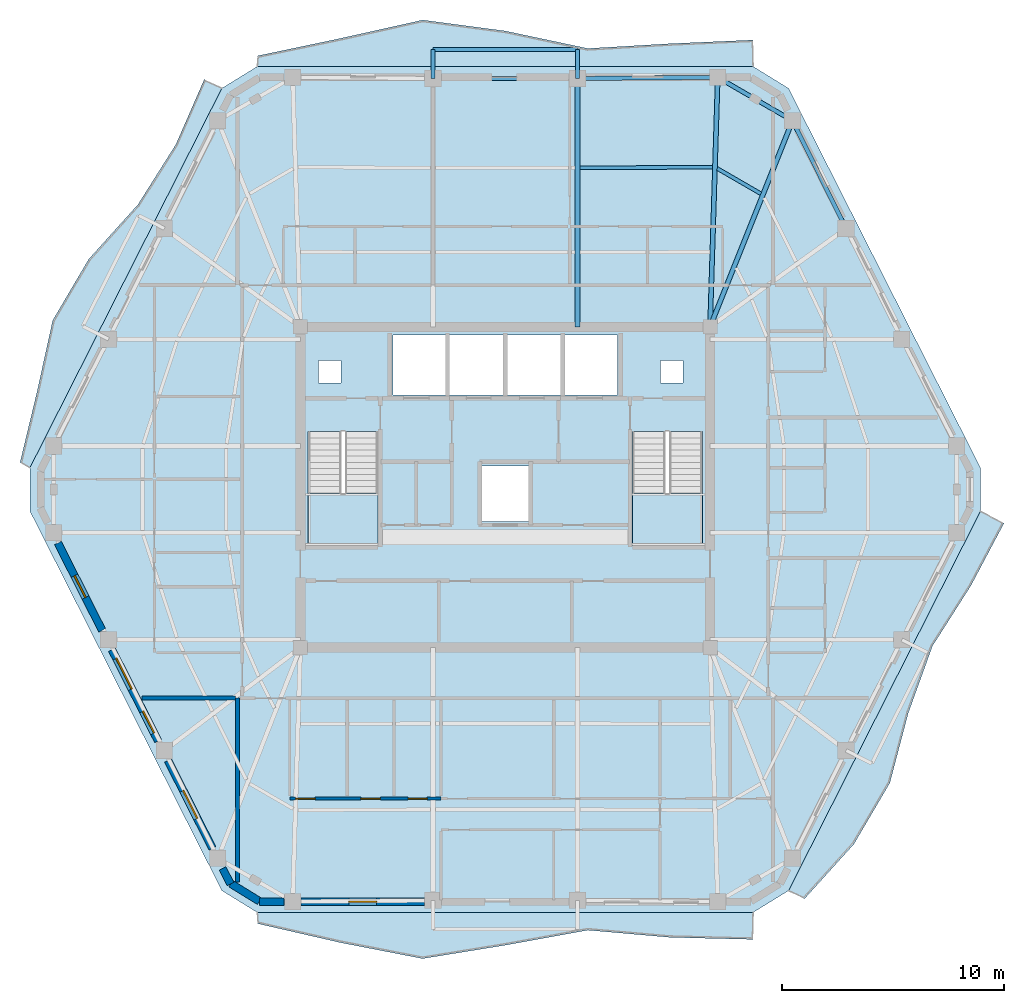
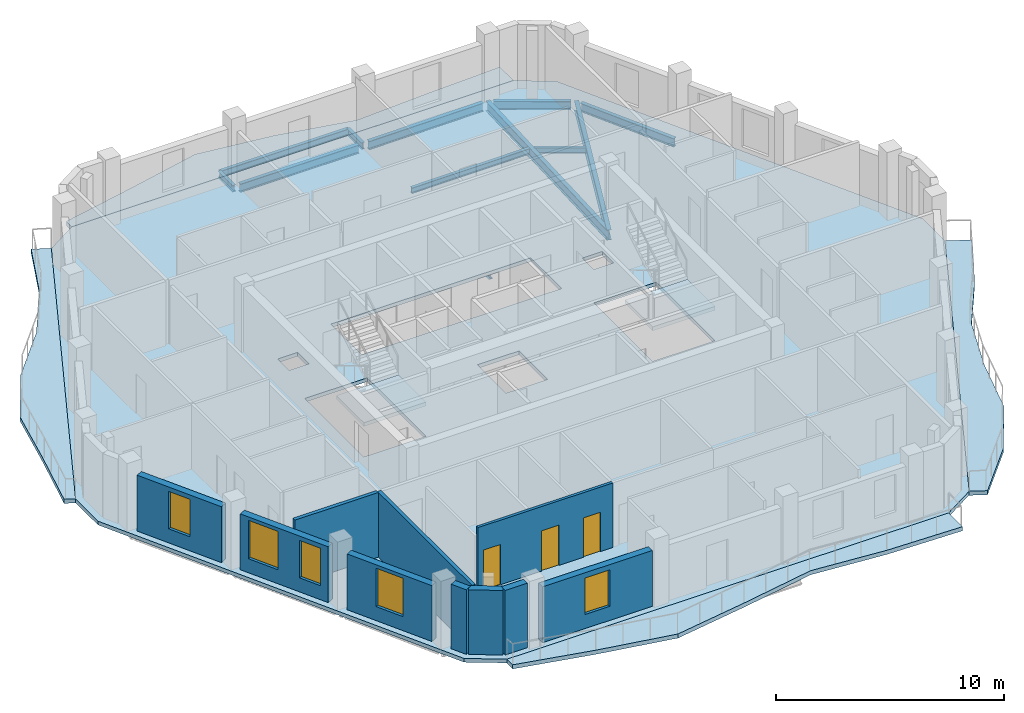
# One storey, part 3 of 11: 12 beams, 10 walls, 7 slabs, 5 windows, 3 doors, 8 openings, 2 elements without a shape of their own.
"""IFC4 building model written with IfcOpenShell, lengths in metres."""

from ifc_helpers import new_model, si_unit, direction, frame, frame_2d, origin, origin_2d, place, context, subcontext, project, spatial, polyline, rectangle, i_section, outline, extrude, material, layer, layer_set, material_profile, profile_set, type_object, element, fill, aggregate, save


model = new_model("IFC4")

# Units and contexts
model_context = context("Model", 3, precision=1e-05, world=origin(), true_north=direction((0.0, 1.0)))
body_context = subcontext(model_context, "Body", "Model", "MODEL_VIEW")
ifc_project = project(units=[si_unit("LENGTHUNIT", "METRE"), si_unit("AREAUNIT", "SQUARE_METRE"), si_unit("VOLUMEUNIT", "CUBIC_METRE"), si_unit("PLANEANGLEUNIT", "RADIAN"), si_unit("MASSUNIT", "GRAM", prefix="KILO")], contexts=[model_context])

# Site, building, storey
site_placement = place(None, origin())
site = spatial("IfcSite", under=ifc_project, at=site_placement, CompositionType="ELEMENT")
building_placement = place(site_placement, origin())
building = spatial("IfcBuilding", under=site, at=building_placement, Name="Cinnabar Lancet Tower", CompositionType="ELEMENT")
storey_placement = place(building_placement, frame((0.0, 0.0, 252.550048828125)))
storey = spatial("IfcBuildingStorey", under=building, at=storey_placement, Name="L67", CompositionType="ELEMENT", Elevation=252.550048828125)

# Beams
ifc_material_1 = material(Name="Structural steel S355", Category="steel")
ifc_material_profile_1 = material_profile(ifc_material_1, i_section(OverallWidth=0.1650390625, OverallDepth=0.303466796875, WebThickness=0.006103515625, FlangeThickness=0.01025390625, FilletRadius=0.0087890625, at=origin_2d()), Name="UKB 305x165x40")
ifc_profile_set_1 = profile_set([ifc_material_profile_1], Name="Structural steel S355")
beam_type_1 = type_object("IfcBeamType", Name="STR-BM-JST-305", PredefinedType="JOIST", material=ifc_profile_set_1)
beam_1_placement = place(storey_placement, frame((43.912109375, 39.1201171875, -0.35205078125), z_axis=(-0.865426285481, 0.501036270542, 0.0), x_axis=(-0.501036270542, -0.865426285481, 0.0)))
element("IfcBeam", 1, at=beam_1_placement, inside=storey, type_object=beam_type_1, Name="L67 Secondary Floor Joist 29", PredefinedType="JOIST", context=body_context, shape_type="SweptSolid", body=[
    extrude(i_section(OverallWidth=0.1650390625, OverallDepth=0.303466796875, WebThickness=0.006103515625, FlangeThickness=0.01025390625, FilletRadius=0.0087890625, at=origin_2d()), origin(), (0.0, 0.0, 1.0), 2.267333984375),
])
beam_2_placement = place(storey_placement, frame((41.741943359375, 40.31494140625, -0.35205078125), z_axis=(-0.999985712428, -0.005345553266, 0.0), x_axis=(0.005345553266, -0.999985712428, 0.0)))
element("IfcBeam", 2, at=beam_2_placement, inside=storey, type_object=beam_type_1, Name="L67 Secondary Floor Joist 30", PredefinedType="JOIST", context=body_context, shape_type="SweptSolid", body=[
    extrude(i_section(OverallWidth=0.1650390625, OverallDepth=0.303466796875, WebThickness=0.006103515625, FlangeThickness=0.01025390625, FilletRadius=0.0087890625, at=origin_2d()), origin(), (0.0, 0.0, 1.0), 5.98291015625),
])
ifc_material_2 = material(Name="Structural steel S355", Category="steel")
ifc_material_profile_2 = material_profile(ifc_material_2, i_section(OverallWidth=0.1904296875, OverallDepth=0.45703125, WebThickness=0.009033203125, FlangeThickness=0.014404296875, FilletRadius=0.01025390625, at=origin_2d()), Name="UKB 457x191x74")
ifc_profile_set_2 = profile_set([ifc_material_profile_2], Name="Structural steel S355")
beam_type_2 = type_object("IfcBeamType", Name="STR-BM-SPN-457", PredefinedType="SPANDREL", material=ifc_profile_set_2)
beam_3_placement = place(storey_placement, frame((47.637939453125, 37.778076171875, -0.428955078125), z_axis=(-0.444372599207, 0.895842058107, 0.0), x_axis=(-0.895842058107, -0.444372599207, 0.0)))
element("IfcBeam", 3, at=beam_3_placement, inside=storey, type_object=beam_type_2, Name="L67 Perimeter Spandrel 11", PredefinedType="SPANDREL", context=body_context, shape_type="SweptSolid", body=[
    extrude(i_section(OverallWidth=0.1904296875, OverallDepth=0.45703125, WebThickness=0.009033203125, FlangeThickness=0.014404296875, FilletRadius=0.01025390625, at=origin_2d()), origin(), (0.0, 0.0, 1.0), 4.91943359375),
])
beam_4_placement = place(storey_placement, frame((45.125, 42.533935546875, -0.428955078125), z_axis=(-0.865199693264, 0.501427453153, 0.0), x_axis=(-0.501427453153, -0.865199693264, 0.0)))
element("IfcBeam", 4, at=beam_4_placement, inside=storey, type_object=beam_type_2, Name="L67 Perimeter Spandrel 12", PredefinedType="SPANDREL", context=body_context, shape_type="SweptSolid", body=[
    extrude(i_section(OverallWidth=0.1904296875, OverallDepth=0.45703125, WebThickness=0.009033203125, FlangeThickness=0.014404296875, FilletRadius=0.01025390625, at=origin_2d()), origin(), (0.0, 0.0, 1.0), 3.39453125),
])
beam_5_placement = place(storey_placement, frame((41.721923828125, 44.35888671875, -0.428955078125), z_axis=(-0.999964782464, -0.008392486634, 0.0), x_axis=(0.008392486634, -0.999964782464, 0.0)))
element("IfcBeam", 5, at=beam_5_placement, inside=storey, type_object=beam_type_2, Name="L67 Perimeter Spandrel 13", PredefinedType="SPANDREL", context=body_context, shape_type="SweptSolid", body=[
    extrude(i_section(OverallWidth=0.1904296875, OverallDepth=0.45703125, WebThickness=0.009033203125, FlangeThickness=0.014404296875, FilletRadius=0.01025390625, at=origin_2d()), origin(), (0.0, 0.0, 1.0), 5.818115234375),
])
beam_6_placement = place(storey_placement, frame((35.404052734375, 44.30810546875, -0.428955078125), z_axis=(-1.0, 0.0, 0.0), x_axis=(0.0, -1.0, 0.0)))
element("IfcBeam", 6, at=beam_6_placement, inside=storey, type_object=beam_type_2, Name="L67 Perimeter Spandrel 14", PredefinedType="SPANDREL", context=body_context, shape_type="SweptSolid", body=[
    extrude(i_section(OverallWidth=0.1904296875, OverallDepth=0.45703125, WebThickness=0.009033203125, FlangeThickness=0.014404296875, FilletRadius=0.01025390625, at=origin_2d()), origin(), (0.0, 0.0, 1.0), 6.008056640625),
])
ifc_material_3 = material(Name="Structural steel S355", Category="steel")
ifc_material_profile_3 = material_profile(ifc_material_3, i_section(OverallWidth=0.209228515625, OverallDepth=0.533203125, WebThickness=0.010009765625, FlangeThickness=0.015625, FilletRadius=0.0126953125, at=origin_2d()), Name="UKB 533x210x92")
ifc_profile_set_3 = profile_set([ifc_material_profile_3], Name="Structural steel S355")
beam_type_3 = type_object("IfcBeamType", Name="STR-BM-UKB533-92", PredefinedType="BEAM", material=ifc_profile_set_3)
beam_7_placement = place(storey_placement, frame((45.341064453125, 42.408935546875, -0.467041015625), z_axis=(-0.371605341166, -0.928390796172, 0.0), x_axis=(0.928390796172, -0.371605341166, 0.0)))
element("IfcBeam", 7, at=beam_7_placement, inside=storey, type_object=beam_type_3, Name="L67 Primary Floor Girder 12", PredefinedType="BEAM", context=body_context, shape_type="SweptSolid", body=[
    extrude(i_section(OverallWidth=0.209228515625, OverallDepth=0.533203125, WebThickness=0.010009765625, FlangeThickness=0.015625, FilletRadius=0.0126953125, at=origin_2d()), origin(), (0.0, 0.0, 1.0), 10.0),
])
beam_8_placement = place(storey_placement, frame((41.971923828125, 44.361083984375, -0.467041015625), z_axis=(-0.030861159652, -0.999523680973, 0.0), x_axis=(0.999523680973, -0.030861159652, 0.0)))
element("IfcBeam", 8, at=beam_8_placement, inside=storey, type_object=beam_type_3, Name="L67 Primary Floor Girder 13", PredefinedType="BEAM", context=body_context, shape_type="SweptSolid", body=[
    extrude(i_section(OverallWidth=0.209228515625, OverallDepth=0.533203125, WebThickness=0.010009765625, FlangeThickness=0.015625, FilletRadius=0.0126953125, at=origin_2d()), origin(), (0.0, 0.0, 1.0), 11.241455078125),
])
beam_9_placement = place(storey_placement, frame((35.654052734375, 44.30810546875, -0.467041015625), z_axis=(0.0, -1.0, 0.0), x_axis=(1.0, 0.0, 0.0)))
element("IfcBeam", 9, at=beam_9_placement, inside=storey, type_object=beam_type_3, Name="L67 Primary Floor Girder 14", PredefinedType="BEAM", context=body_context, shape_type="SweptSolid", body=[
    extrude(i_section(OverallWidth=0.209228515625, OverallDepth=0.533203125, WebThickness=0.010009765625, FlangeThickness=0.015625, FilletRadius=0.0126953125, at=origin_2d()), origin(), (0.0, 0.0, 1.0), 11.18310546875),
])
ifc_material_4 = material(Name="Structural steel S355", Category="steel")
ifc_material_profile_4 = material_profile(ifc_material_4, i_section(OverallWidth=0.17138671875, OverallDepth=0.35498046875, WebThickness=0.00732421875, FlangeThickness=0.011474609375, FilletRadius=0.01025390625, at=origin_2d()), Name="UKB 356x171x51")
ifc_profile_set_4 = profile_set([ifc_material_profile_4], Name="Structural steel S355")
beam_type_4 = type_object("IfcBeamType", Name="STR-BM-WAV-OUT", PredefinedType="BEAM", material=ifc_profile_set_4)
for number, where, z_axis, x_axis, name in (
    (10, (35.654052734375, 44.30810546875, -0.39697265625), (0.0, 1.0, 0.0), (-1.0, 0.0, 0.0), "L67 Face 4 Balcony Outlooker A"),
    (11, (29.14599609375, 44.30810546875, -0.39697265625), (0.0, 1.0, 0.0), (-1.0, 0.0, 0.0), "L67 Face 4 Balcony Outlooker B"),
):
    element("IfcBeam", number, at=place(storey_placement, frame(where, z_axis=z_axis, x_axis=x_axis)), inside=storey, type_object=beam_type_4, Name=name, PredefinedType="BEAM", context=body_context, shape_type="SweptSolid", body=[
        extrude(i_section(OverallWidth=0.17138671875, OverallDepth=0.35498046875, WebThickness=0.00732421875, FlangeThickness=0.011474609375, FilletRadius=0.01025390625, at=origin_2d()), origin(), (0.0, 0.0, 1.0), 1.2998046875),
    ])
ifc_material_5 = material(Name="Structural steel S355", Category="steel")
ifc_material_profile_5 = material_profile(ifc_material_5, i_section(OverallWidth=0.17138671875, OverallDepth=0.35498046875, WebThickness=0.00732421875, FlangeThickness=0.011474609375, FilletRadius=0.01025390625, at=origin_2d()), Name="UKB 356x171x51")
ifc_profile_set_5 = profile_set([ifc_material_profile_5], Name="Structural steel S355")
beam_type_5 = type_object("IfcBeamType", Name="STR-BM-WAV-TRIM", PredefinedType="SPANDREL", material=ifc_profile_set_5)
beam_10_placement = place(storey_placement, frame((35.654052734375, 45.60791015625, -0.39697265625), z_axis=(-1.0, 0.0, 0.0), x_axis=(0.0, -1.0, 0.0)))
element("IfcBeam", 12, at=beam_10_placement, inside=storey, type_object=beam_type_5, Name="L67 Face 4 Balcony Edge Trimmer", PredefinedType="SPANDREL", context=body_context, shape_type="SweptSolid", body=[
    extrude(i_section(OverallWidth=0.17138671875, OverallDepth=0.35498046875, WebThickness=0.00732421875, FlangeThickness=0.011474609375, FilletRadius=0.01025390625, at=origin_2d()), origin(), (0.0, 0.0, 1.0), 6.508056640625),
])

# Stair, slab
ifc_material_6 = material(Name="Concrete C40/50", Category="concrete")
stair_type = type_object("IfcStairType", Name="ST-CORE", PredefinedType="HALF_TURN_STAIR", material=ifc_material_6)
stair_1_placement = place(storey_placement, origin())
stair_1 = element("IfcStair", 13, at=stair_1_placement, inside=storey, type_object=stair_type, Name="L67 ST-1", PredefinedType="HALF_TURN_STAIR")
ifc_material_7 = material(Name="Concrete C40/50", Category="concrete")
ifc_layer_1 = layer(ifc_material_7, 0.199951171875)
ifc_layer_set_1 = layer_set([ifc_layer_1], Name="Concrete C40/50")
slab_type_1 = type_object("IfcSlabType", Name="LANDING-CORE", PredefinedType="LANDING", material=ifc_layer_set_1)
slab_1_placement = place(storey_placement, frame((0.0, 0.0, 1.625)))
slab_1 = element("IfcSlab", 14, at=slab_1_placement, type_object=slab_type_1, Name="ST-1 landing 1", PredefinedType="LANDING", context=body_context, shape_type="SweptSolid", body=[
    extrude(outline(polyline([(23.52490234375, 25.64990234375), (23.52490234375, 23.25), (26.675048828125, 23.25), (26.675048828125, 25.64990234375), (23.52490234375, 25.64990234375)])), origin(), (0.0, 0.0, 1.0), 0.199951171875),
])
aggregate(stair_1, [slab_1])

stair_2_placement = place(storey_placement, origin())
stair_2 = element("IfcStair", 15, at=stair_2_placement, inside=storey, type_object=stair_type, Name="L67 ST-2", PredefinedType="HALF_TURN_STAIR")
slab_2_placement = place(storey_placement, frame((0.0, 0.0, 1.625)))
slab_2 = element("IfcSlab", 16, at=slab_2_placement, type_object=slab_type_1, Name="ST-2 landing 1", PredefinedType="LANDING", context=body_context, shape_type="SweptSolid", body=[
    extrude(outline(polyline([(38.125, 25.64990234375), (38.125, 23.25), (41.27490234375, 23.25), (41.27490234375, 25.64990234375), (38.125, 25.64990234375)])), origin(), (0.0, 0.0, 1.0), 0.199951171875),
])
aggregate(stair_2, [slab_2])

# Slabs
ifc_material_8 = material(Name="Concrete C40/50", Category="concrete")
ifc_layer_2 = layer(ifc_material_8, 0.199951171875)
ifc_layer_set_2 = layer_set([ifc_layer_2], Name="Concrete C40/50")
slab_type_2 = type_object("IfcSlabType", Name="STR-SLB-FLR-200", PredefinedType="FLOOR", material=ifc_layer_set_2)
slab_3_placement = place(storey_placement, frame((0.0, 0.0, -0.199951171875)))
element("IfcSlab", 17, at=slab_3_placement, inside=storey, type_object=slab_type_2, Name="L67 Structural Floor Slab", PredefinedType="FLOOR", context=body_context, shape_type="SweptSolid", body=[
    extrude(outline(polyline([(19.638916015625, 7.73193359375), (21.236083984375, 6.75), (43.56396484375, 6.75), (45.160888671875, 7.73193359375), (53.802978515625, 24.818115234375), (53.802978515625, 26.781982421875), (45.160888671875, 43.867919921875), (43.56396484375, 44.85009765625), (21.236083984375, 44.85009765625), (19.638916015625, 43.867919921875), (10.9970703125, 26.781982421875), (10.9970703125, 24.818115234375), (19.638916015625, 7.73193359375)]), holes=[polyline([(23.52490234375, 23.25), (26.675048828125, 23.25), (26.675048828125, 28.3994140625), (23.52490234375, 28.3994140625), (23.52490234375, 23.25)]), polyline([(38.125, 23.25), (41.27490234375, 23.25), (41.27490234375, 28.3994140625), (38.125, 28.3994140625), (38.125, 23.25)]), polyline([(27.35009765625, 30.050048828125), (37.449951171875, 30.050048828125), (37.449951171875, 32.75), (27.35009765625, 32.75), (27.35009765625, 30.050048828125)]), polyline([(31.35009765625, 24.35009765625), (33.449951171875, 24.35009765625), (33.449951171875, 26.85009765625), (31.35009765625, 26.85009765625), (31.35009765625, 24.35009765625)]), polyline([(24.0, 30.60009765625), (25.0, 30.60009765625), (25.0, 31.60009765625), (24.0, 31.60009765625), (24.0, 30.60009765625)]), polyline([(39.39990234375, 30.60009765625), (40.39990234375, 30.60009765625), (40.39990234375, 31.60009765625), (39.39990234375, 31.60009765625), (39.39990234375, 30.60009765625)])]), origin(), (0.0, 0.0, 1.0), 0.199951171875),
])
ifc_material_9 = material(Name="Concrete C45/55", Category="concrete")
ifc_layer_3 = layer(ifc_material_9, 0.219970703125)
ifc_layer_set_3 = layer_set([ifc_layer_3], Name="Concrete C45/55")
slab_type_3 = type_object("IfcSlabType", Name="STR-SLB-WAV-220", PredefinedType="FLOOR", material=ifc_layer_set_3)
slab_4_placement = place(storey_placement, frame((0.0, 0.0, -0.219970703125)))
element("IfcSlab", 18, at=slab_4_placement, inside=storey, type_object=slab_type_3, Name="L67 Face 1 Undulating Wave Balcony Slab", PredefinedType="FLOOR", context=body_context, shape_type="SweptSolid", body=[
    extrude(outline(polyline([(21.236083984375, 6.75), (21.236083984375, 6.25), (24.95703125, 5.39501953125), (28.678955078125, 4.669921875), (32.39990234375, 5.27392578125), (36.12109375, 5.950927734375), (39.843017578125, 5.6259765625), (43.56396484375, 5.535888671875), (43.56396484375, 6.75), (21.236083984375, 6.75)])), origin(), (0.0, 0.0, 1.0), 0.219970703125),
])
slab_5_placement = place(storey_placement, frame((0.0, 0.0, -0.219970703125)))
element("IfcSlab", 19, at=slab_5_placement, inside=storey, type_object=slab_type_3, Name="L67 Face 2 Undulating Wave Balcony Slab", PredefinedType="FLOOR", context=body_context, shape_type="SweptSolid", body=[
    extrude(outline(polyline([(45.160888671875, 7.73193359375), (45.881103515625, 7.367919921875), (48.10009765625, 9.822021484375), (49.720947265625, 12.577880859375), (50.552978515625, 15.73291015625), (51.64599609375, 18.757080078125), (53.368896484375, 21.4609375), (54.864013671875, 24.281005859375), (53.802978515625, 24.818115234375), (45.160888671875, 7.73193359375)])), origin(), (0.0, 0.0, 1.0), 0.219970703125),
])
slab_6_placement = place(storey_placement, frame((0.0, 0.0, -0.219970703125)))
element("IfcSlab", 20, at=slab_6_placement, inside=storey, type_object=slab_type_3, Name="L67 Face 4 Undulating Wave Balcony Slab", PredefinedType="FLOOR", context=body_context, shape_type="SweptSolid", body=[
    extrude(outline(polyline([(43.56396484375, 44.85009765625), (43.56396484375, 46.0419921875), (39.843017578125, 45.8798828125), (36.12109375, 45.662109375), (32.39990234375, 46.450927734375), (28.678955078125, 46.943115234375), (24.95703125, 46.111083984375), (21.236083984375, 45.327880859375), (21.236083984375, 44.85009765625), (43.56396484375, 44.85009765625)])), origin(), (0.0, 0.0, 1.0), 0.219970703125),
])
slab_7_placement = place(storey_placement, frame((0.0, 0.0, -0.219970703125)))
element("IfcSlab", 21, at=slab_7_placement, inside=storey, type_object=slab_type_3, Name="L67 Face 5 Undulating Wave Balcony Slab", PredefinedType="FLOOR", context=body_context, shape_type="SweptSolid", body=[
    extrude(outline(polyline([(19.638916015625, 43.867919921875), (18.847900390625, 44.26806640625), (17.569091796875, 41.339111328125), (15.85693359375, 38.6279296875), (13.64306640625, 36.172119140625), (12.02099609375, 33.4169921875), (11.31494140625, 30.197021484375), (10.548095703125, 27.009033203125), (10.9970703125, 26.781982421875), (19.638916015625, 43.867919921875)])), origin(), (0.0, 0.0, 1.0), 0.219970703125),
])

# Walls
ifc_material_10 = material(Name="Fire-rated twin-frame acoustic drywall", Category="gypsum")
ifc_layer_4 = layer(ifc_material_10, 0.179931640625)
ifc_layer_set_4 = layer_set([ifc_layer_4], Name="Fire-rated twin-frame acoustic drywall")
wall_type_1 = type_object("IfcWallType", Name="ARC-WL-PARTY-180", PredefinedType="PARTITIONING", material=ifc_layer_set_4)
wall_1_placement = place(storey_placement, frame((20.35009765625, 8.118896484375, 0.0), z_axis=(0.0, 0.0, 1.0), x_axis=(0.0, 1.0, 0.0)))
element("IfcWall", 22, at=wall_1_placement, inside=storey, type_object=wall_type_1, Name="PW-L67-SPTY-204", PredefinedType="PARTITIONING", context=body_context, shape_type="SweptSolid", body=[
    extrude(rectangle(XDim=8.281005859375, YDim=0.179931640625, at=frame_2d((4.140625, 0.0))), origin(), (0.0, 0.0, 1.0), 3.449951171875),
])
wall_2_placement = place(storey_placement, frame((16.033935546875, 16.39990234375, 0.0), z_axis=(0.0, 0.0, 1.0), x_axis=(1.0, 0.0, 0.0)))
element("IfcWall", 23, at=wall_2_placement, inside=storey, type_object=wall_type_1, Name="PW-L67-WSB", PredefinedType="PARTITIONING", context=body_context, shape_type="SweptSolid", body=[
    extrude(rectangle(XDim=4.220947265625, YDim=0.179931640625, at=frame_2d((2.1103515625, 0.0))), origin(), (0.0, 0.0, 1.0), 3.449951171875),
])

# Wall, openings, doors
ifc_material_11 = material(Name="Moisture-resistant cement-board plumbing wall", Category="masonry")
ifc_layer_5 = layer(ifc_material_11, 0.139892578125)
ifc_layer_set_5 = layer_set([ifc_layer_5], Name="Moisture-resistant cement-board plumbing wall")
wall_type_2 = type_object("IfcWallType", Name="ARC-WL-WET-140", PredefinedType="PLUMBINGWALL", material=ifc_layer_set_5)
wall_3_placement = place(storey_placement, frame((22.699951171875, 11.87890625, 0.0), z_axis=(0.0, 0.0, 1.0), x_axis=(1.0, 0.0, 0.0)))
wall_3 = element("IfcWall", 24, at=wall_3_placement, inside=storey, type_object=wall_type_2, Name="UW-L67-S01-SPL", PredefinedType="PLUMBINGWALL", context=body_context, shape_type="SweptSolid", body=[
    extrude(rectangle(XDim=6.80810546875, YDim=0.139892578125, at=frame_2d((3.404052734375, 0.0))), origin(), (0.0, 0.0, 1.0), 3.449951171875),
])
opening_1_placement = place(wall_3_placement, frame((5.327880859375, 0.0, 0.0)))
opening_1 = element("IfcOpeningElement", 25, at=opening_1_placement, cuts=wall_3, Name="Opening BD-01", PredefinedType="OPENING", context=body_context, shape_type="SweptSolid", body=[
    extrude(rectangle(XDim=0.860107421875, YDim=2.10009765625, at=frame_2d((0.43017578125, 1.050048828125))), frame((0.0, 0.079833984375, 0.0), z_axis=(0.0, -1.0, 0.0), x_axis=(1.0, 0.0, 0.0)), (0.0, 0.0, 1.0), 0.159912109375),
])
opening_2_placement = place(wall_3_placement, frame((0.260009765625, 0.0, 0.0)))
opening_2 = element("IfcOpeningElement", 26, at=opening_2_placement, cuts=wall_3, Name="Opening RD-02", PredefinedType="OPENING", context=body_context, shape_type="SweptSolid", body=[
    extrude(rectangle(XDim=0.8798828125, YDim=2.14990234375, at=frame_2d((0.43994140625, 1.074951171875))), frame((0.0, 0.079833984375, 0.0), z_axis=(0.0, -1.0, 0.0), x_axis=(1.0, 0.0, 0.0)), (0.0, 0.0, 1.0), 0.159912109375),
])
opening_3_placement = place(wall_3_placement, frame((3.202880859375, 0.0, 0.0)))
opening_3 = element("IfcOpeningElement", 27, at=opening_3_placement, cuts=wall_3, Name="Opening RD-02", PredefinedType="OPENING", context=body_context, shape_type="SweptSolid", body=[
    extrude(rectangle(XDim=0.8798828125, YDim=2.14990234375, at=frame_2d((0.43994140625, 1.074951171875))), frame((0.0, 0.079833984375, 0.0), z_axis=(0.0, -1.0, 0.0), x_axis=(1.0, 0.0, 0.0)), (0.0, 0.0, 1.0), 0.159912109375),
])
ifc_material_12 = material(Name="Moisture-resistant timber bathroom door", Category="wood")
door_type_1 = type_object("IfcDoorType", Name="ARC-DR-BATH", OperationType="NOTDEFINED", PredefinedType="DOOR", material=ifc_material_12)
door_1_placement = place(opening_1_placement, origin())
door_1 = element("IfcDoor", 28, at=door_1_placement, inside=storey, type_object=door_type_1, Name="DR-L67-S01-BTH", OperationType="SINGLE_SWING_RIGHT", OverallHeight=2.10009765625, OverallWidth=0.860107421875, PredefinedType="DOOR", context=body_context, shape_type="SweptSolid", body=[
    extrude(rectangle(XDim=0.860107421875, YDim=2.10009765625, at=frame_2d((0.43017578125, 1.050048828125))), frame((0.0, 0.02490234375, 0.0), z_axis=(0.0, -1.0, 0.0), x_axis=(1.0, 0.0, 0.0)), (0.0, 0.0, 1.0), 0.050048828125),
])
fill(opening_1, door_1)
ifc_material_13 = material(Name="Engineered timber study door", Category="wood")
door_type_2 = type_object("IfcDoorType", Name="ARC-DR-STUDY", OperationType="NOTDEFINED", PredefinedType="DOOR", material=ifc_material_13)
door_2_placement = place(opening_2_placement, origin())
door_2 = element("IfcDoor", 29, at=door_2_placement, inside=storey, type_object=door_type_2, Name="DR-L67-S01-KIT", OperationType="SINGLE_SWING_RIGHT", OverallHeight=2.14990234375, OverallWidth=0.8798828125, PredefinedType="DOOR", context=body_context, shape_type="SweptSolid", body=[
    extrude(rectangle(XDim=0.8798828125, YDim=2.14990234375, at=frame_2d((0.43994140625, 1.074951171875))), frame((0.0, 0.02490234375, 0.0), z_axis=(0.0, -1.0, 0.0), x_axis=(1.0, 0.0, 0.0)), (0.0, 0.0, 1.0), 0.050048828125),
])
fill(opening_2, door_2)
door_3_placement = place(opening_3_placement, origin())
door_3 = element("IfcDoor", 30, at=door_3_placement, inside=storey, type_object=door_type_2, Name="DR-L67-S01-STD", OperationType="SINGLE_SWING_LEFT", OverallHeight=2.14990234375, OverallWidth=0.8798828125, PredefinedType="DOOR", context=body_context, shape_type="SweptSolid", body=[
    extrude(rectangle(XDim=0.8798828125, YDim=2.14990234375, at=frame_2d((0.43994140625, 1.074951171875))), frame((0.0, 0.02490234375, 0.0), z_axis=(0.0, -1.0, 0.0), x_axis=(1.0, 0.0, 0.0)), (0.0, 0.0, 1.0), 0.050048828125),
])
fill(opening_3, door_3)

# Walls
ifc_material_14 = material(Name="Cinnabar red clay brick", Category="masonry")
ifc_layer_6 = layer(ifc_material_14, 0.340087890625)
ifc_layer_set_6 = layer_set([ifc_layer_6], Name="Cinnabar red clay brick")
wall_type_3 = type_object("IfcWallType", Name="ENV-WL-BRK-RED-340", PredefinedType="STANDARD", material=ifc_layer_set_6)
wall_4_placement = place(storey_placement, frame((20.047119140625, 8.044921875, 0.0), z_axis=(0.0, 0.0, 1.0), x_axis=(0.851680557619, -0.52406128246, 0.0)))
element("IfcWall", 31, at=wall_4_placement, inside=storey, type_object=wall_type_3, Name="L67 Chamfered Corner Brick Pier 1.1", PredefinedType="STANDARD", context=body_context, shape_type="SweptSolid", body=[
    extrude(rectangle(XDim=1.507568359375, YDim=0.340087890625, at=frame_2d((0.75390625, 0.0))), origin(), (0.0, 0.0, 1.0), 3.449951171875),
])
wall_5_placement = place(storey_placement, frame((21.325927734375, 7.22998046875, 0.0), z_axis=(0.0, 0.0, 1.0), x_axis=(1.0, 0.0, 0.0)))
element("IfcWall", 32, at=wall_5_placement, inside=storey, type_object=wall_type_3, Name="L67 Face 1 Masonry Bay Wall 1", PredefinedType="STANDARD", context=body_context, shape_type="SweptSolid", body=[
    extrude(rectangle(XDim=1.123046875, YDim=0.340087890625, at=frame_2d((0.5615234375, 0.0))), origin(), (0.0, 0.0, 1.0), 3.449951171875),
])

# Wall, opening, window
wall_6_placement = place(storey_placement, frame((23.20703125, 7.22998046875, 0.0), z_axis=(0.0, 0.0, 1.0), x_axis=(1.0, 0.0, 0.0)))
wall_6 = element("IfcWall", 33, at=wall_6_placement, inside=storey, type_object=wall_type_3, Name="L67 Face 1 Masonry Bay Wall 2", PredefinedType="STANDARD", context=body_context, shape_type="SweptSolid", body=[
    extrude(rectangle(XDim=5.56005859375, YDim=0.340087890625, at=frame_2d((2.780029296875, 0.0))), origin(), (0.0, 0.0, 1.0), 2.98291015625),
])
opening_4_placement = place(wall_6_placement, frame((2.155029296875, 0.0, 0.75)))
opening_4 = element("IfcOpeningElement", 34, at=opening_4_placement, cuts=wall_6, Name="Opening WN-03", PredefinedType="OPENING", context=body_context, shape_type="SweptSolid", body=[
    extrude(rectangle(XDim=1.25, YDim=1.949951171875, at=frame_2d((0.625, 0.97509765625))), frame((0.0, 0.179931640625, 0.0), z_axis=(0.0, -1.0, 0.0), x_axis=(1.0, 0.0, 0.0)), (0.0, 0.0, 1.0), 0.360107421875),
])
ifc_material_15 = material(Name="Thermally broken bronze-anodized aluminium low-E double glazing", Category="aluminium")
window_type_1 = type_object("IfcWindowType", Name="ENV-WN-LANCET-1250", PartitioningType="SINGLE_PANEL", PredefinedType="WINDOW", material=ifc_material_15)
window_1_placement = place(opening_4_placement, origin())
window_1 = element("IfcWindow", 35, at=window_1_placement, inside=storey, type_object=window_type_1, Name="L67 Face 1 Gothic Lancet Window 2", OverallHeight=1.949951171875, OverallWidth=1.25, PartitioningType="SINGLE_PANEL", PredefinedType="WINDOW", context=body_context, shape_type="SweptSolid", body=[
    extrude(rectangle(XDim=1.25, YDim=1.949951171875, at=frame_2d((0.625, 0.97509765625))), frame((0.0, 0.030029296875, 0.0), z_axis=(0.0, -1.0, 0.0), x_axis=(1.0, 0.0, 0.0)), (0.0, 0.0, 1.0), 0.06005859375),
])
fill(opening_4, window_1)

wall_7_placement = place(storey_placement, frame((12.257080078125, 23.388916015625, 0.0), z_axis=(0.0, 0.0, 1.0), x_axis=(0.45130817501, -0.892368158984, 0.0)))
wall_7 = element("IfcWall", 36, at=wall_7_placement, inside=storey, type_object=wall_type_3, Name="L67 Face 6 Masonry Bay Wall 2", PredefinedType="STANDARD", context=body_context, shape_type="SweptSolid", body=[
    extrude(rectangle(XDim=4.4072265625, YDim=0.340087890625, at=frame_2d((2.20361328125, 0.0))), origin(), (0.0, 0.0, 1.0), 2.98291015625),
])
opening_5_placement = place(wall_7_placement, frame((1.654052734375, 0.0, 0.75)))
opening_5 = element("IfcOpeningElement", 37, at=opening_5_placement, cuts=wall_7, Name="Opening WN-04", PredefinedType="OPENING", context=body_context, shape_type="SweptSolid", body=[
    extrude(rectangle(XDim=1.10009765625, YDim=2.0, at=frame_2d((0.550048828125, 1.0))), frame((0.0, 0.179931640625, 0.0), z_axis=(0.0, -1.0, 0.0), x_axis=(1.0, 0.0, 0.0)), (0.0, 0.0, 1.0), 0.360107421875),
])
ifc_material_16 = material(Name="Thermally broken bronze-anodized aluminium tall lancet window", Category="aluminium")
window_type_2 = type_object("IfcWindowType", Name="ENV-WN-LANCET-1100", PartitioningType="SINGLE_PANEL", PredefinedType="WINDOW", material=ifc_material_16)
window_2_placement = place(opening_5_placement, origin())
window_2 = element("IfcWindow", 38, at=window_2_placement, inside=storey, type_object=window_type_2, Name="L67 Face 6 Gothic Lancet Window 2", OverallHeight=2.0, OverallWidth=1.10009765625, PartitioningType="SINGLE_PANEL", PredefinedType="WINDOW", context=body_context, shape_type="SweptSolid", body=[
    extrude(rectangle(XDim=1.10009765625, YDim=2.0, at=frame_2d((0.550048828125, 1.0))), frame((0.0, 0.030029296875, 0.0), z_axis=(0.0, -1.0, 0.0), x_axis=(1.0, 0.0, 0.0)), (0.0, 0.0, 1.0), 0.06005859375),
])
fill(opening_5, window_2)

# Wall, openings, windows
wall_8_placement = place(storey_placement, frame((14.69091796875, 18.576904296875, 0.0), z_axis=(0.0, 0.0, 1.0), x_axis=(0.451581819983, -0.892229712496, 0.0)))
wall_8 = element("IfcWall", 39, at=wall_8_placement, inside=storey, type_object=wall_type_3, Name="L67 Face 6 Masonry Bay Wall 3", PredefinedType="STANDARD", context=body_context, shape_type="SweptSolid", body=[
    extrude(rectangle(XDim=4.599609375, YDim=0.340087890625, at=frame_2d((2.2998046875, 0.0))), origin(), (0.0, 0.0, 1.0), 2.98291015625),
])
opening_6_placement = place(wall_8_placement, frame((0.424072265625, 0.0, 0.75)))
opening_6 = element("IfcOpeningElement", 40, at=opening_6_placement, cuts=wall_8, Name="Opening WN-01", PredefinedType="OPENING", context=body_context, shape_type="SweptSolid", body=[
    extrude(rectangle(XDim=1.550048828125, YDim=2.050048828125, at=frame_2d((0.77490234375, 1.02490234375))), frame((0.0, 0.179931640625, 0.0), z_axis=(0.0, -1.0, 0.0), x_axis=(1.0, 0.0, 0.0)), (0.0, 0.0, 1.0), 0.360107421875),
])
opening_7_placement = place(wall_8_placement, frame((3.10009765625, 0.0, 0.75)))
opening_7 = element("IfcOpeningElement", 41, at=opening_7_placement, cuts=wall_8, Name="Opening WN-04", PredefinedType="OPENING", context=body_context, shape_type="SweptSolid", body=[
    extrude(rectangle(XDim=1.10009765625, YDim=2.0, at=frame_2d((0.550048828125, 1.0))), frame((0.0, 0.179931640625, 0.0), z_axis=(0.0, -1.0, 0.0), x_axis=(1.0, 0.0, 0.0)), (0.0, 0.0, 1.0), 0.360107421875),
])
window_3_placement = place(opening_7_placement, origin())
window_3 = element("IfcWindow", 42, at=window_3_placement, inside=storey, type_object=window_type_2, Name="L67 Split-Bay Gothic Lancet Window 242", OverallHeight=2.0, OverallWidth=1.10009765625, PartitioningType="SINGLE_PANEL", PredefinedType="WINDOW", context=body_context, shape_type="SweptSolid", body=[
    extrude(rectangle(XDim=1.10009765625, YDim=2.0, at=frame_2d((0.550048828125, 1.0))), frame((0.0, 0.030029296875, 0.0), z_axis=(0.0, -1.0, 0.0), x_axis=(1.0, 0.0, 0.0)), (0.0, 0.0, 1.0), 0.06005859375),
])
fill(opening_7, window_3)
ifc_material_17 = material(Name="Thermally broken bronze-anodized aluminium low-E double glazing", Category="aluminium")
window_type_3 = type_object("IfcWindowType", Name="ENV-WN-LANCET-1550", PartitioningType="SINGLE_PANEL", PredefinedType="WINDOW", material=ifc_material_17)
window_4_placement = place(opening_6_placement, origin())
window_4 = element("IfcWindow", 43, at=window_4_placement, inside=storey, type_object=window_type_3, Name="L67 Face 6 Gothic Lancet Window 3", OverallHeight=2.050048828125, OverallWidth=1.550048828125, PartitioningType="SINGLE_PANEL", PredefinedType="WINDOW", context=body_context, shape_type="SweptSolid", body=[
    extrude(rectangle(XDim=1.550048828125, YDim=2.050048828125, at=frame_2d((0.77490234375, 1.02490234375))), frame((0.0, 0.030029296875, 0.0), z_axis=(0.0, -1.0, 0.0), x_axis=(1.0, 0.0, 0.0)), (0.0, 0.0, 1.0), 0.06005859375),
])
fill(opening_6, window_4)

# Wall, opening, window
wall_9_placement = place(storey_placement, frame((17.214111328125, 13.590087890625, 0.0), z_axis=(0.0, 0.0, 1.0), x_axis=(0.451440846853, -0.892301048858, 0.0)))
wall_9 = element("IfcWall", 44, at=wall_9_placement, inside=storey, type_object=wall_type_3, Name="L67 Face 6 Masonry Bay Wall 4", PredefinedType="STANDARD", context=body_context, shape_type="SweptSolid", body=[
    extrude(rectangle(XDim=4.43017578125, YDim=0.340087890625, at=frame_2d((2.215087890625, 0.0))), origin(), (0.0, 0.0, 1.0), 2.98291015625),
])
opening_8_placement = place(wall_9_placement, frame((1.514892578125, 0.0, 0.75)))
opening_8 = element("IfcOpeningElement", 45, at=opening_8_placement, cuts=wall_9, Name="Opening WN-02", PredefinedType="OPENING", context=body_context, shape_type="SweptSolid", body=[
    extrude(rectangle(XDim=1.39990234375, YDim=2.050048828125, at=frame_2d((0.699951171875, 1.02490234375))), frame((0.0, 0.179931640625, 0.0), z_axis=(0.0, -1.0, 0.0), x_axis=(1.0, 0.0, 0.0)), (0.0, 0.0, 1.0), 0.360107421875),
])
ifc_material_18 = material(Name="Thermally broken bronze-anodized aluminium low-E double glazing", Category="aluminium")
window_type_4 = type_object("IfcWindowType", Name="ENV-WN-LANCET-1400", PartitioningType="SINGLE_PANEL", PredefinedType="WINDOW", material=ifc_material_18)
window_5_placement = place(opening_8_placement, origin())
window_5 = element("IfcWindow", 46, at=window_5_placement, inside=storey, type_object=window_type_4, Name="L67 Face 6 Gothic Lancet Window 4", OverallHeight=2.050048828125, OverallWidth=1.39990234375, PartitioningType="SINGLE_PANEL", PredefinedType="WINDOW", context=body_context, shape_type="SweptSolid", body=[
    extrude(rectangle(XDim=1.39990234375, YDim=2.050048828125, at=frame_2d((0.699951171875, 1.02490234375))), frame((0.0, 0.030029296875, 0.0), z_axis=(0.0, -1.0, 0.0), x_axis=(1.0, 0.0, 0.0)), (0.0, 0.0, 1.0), 0.06005859375),
])
fill(opening_8, window_5)

# Wall
wall_10_placement = place(storey_placement, frame((19.669921875, 8.735107421875, 0.0), z_axis=(0.0, 0.0, 1.0), x_axis=(0.451404919072, -0.89231922485, 0.0)))
element("IfcWall", 47, at=wall_10_placement, inside=storey, type_object=wall_type_3, Name="L67 Face 6 Masonry Bay Wall 5", PredefinedType="STANDARD", context=body_context, shape_type="SweptSolid", body=[
    extrude(rectangle(XDim=0.791259765625, YDim=0.340087890625, at=frame_2d((0.3955078125, 0.0))), origin(), (0.0, 0.0, 1.0), 3.449951171875),
])

save(model, "model.ifc")
